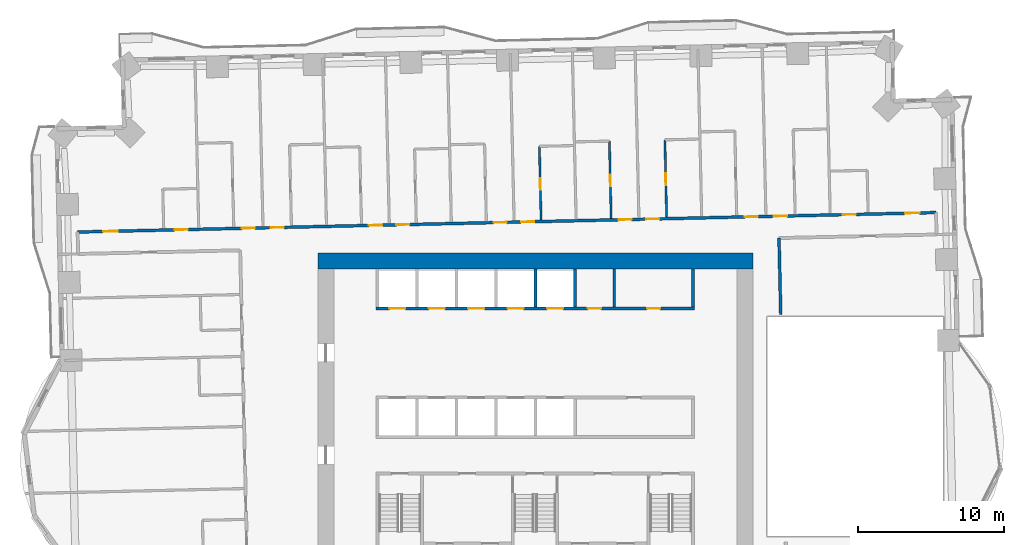
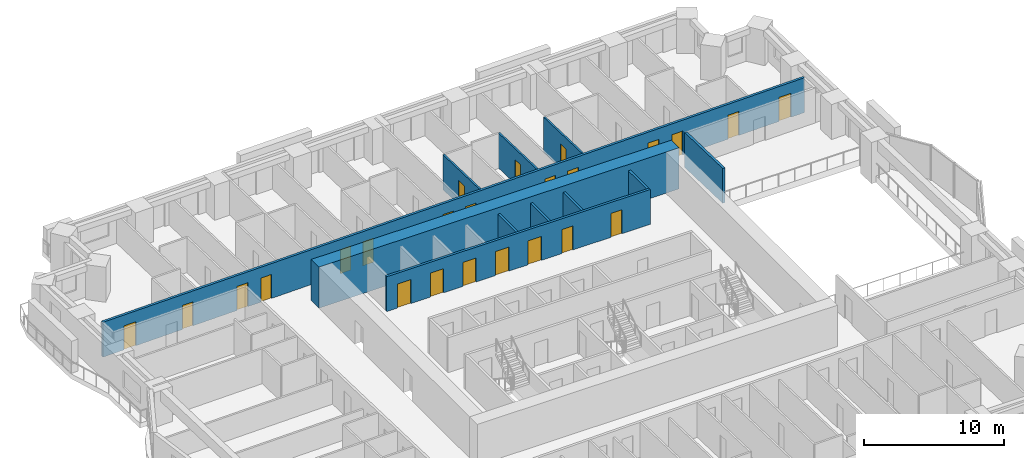
# One storey, part 10 of 16: 24 doors, 11 walls, 24 openings.
"""IFC4 building model written with IfcOpenShell, lengths in metres."""

from ifc_helpers import new_model, si_unit, direction, frame, frame_2d, origin, place, context, subcontext, project, spatial, rectangle, extrude, material, layer, layer_set, type_object, element, fill, save


model = new_model("IFC4")

# Units and contexts
model_context = context("Model", 3, precision=1e-05, world=origin(), true_north=direction((0.0, 1.0)))
body_context = subcontext(model_context, "Body", "Model", "MODEL_VIEW")
ifc_project = project(units=[si_unit("LENGTHUNIT", "METRE"), si_unit("AREAUNIT", "SQUARE_METRE"), si_unit("VOLUMEUNIT", "CUBIC_METRE"), si_unit("PLANEANGLEUNIT", "RADIAN"), si_unit("MASSUNIT", "GRAM", prefix="KILO")], contexts=[model_context])

# Site, building, storey
site_placement = place(None, origin())
site = spatial("IfcSite", under=ifc_project, at=site_placement, CompositionType="ELEMENT")
building_placement = place(site_placement, origin())
building = spatial("IfcBuilding", under=site, at=building_placement, Name="Mangrove Gate Tower", CompositionType="ELEMENT")
storey_placement = place(building_placement, frame((0.0, 0.0, 48.5)))
storey = spatial("IfcBuildingStorey", under=building, at=storey_placement, Name="L11", CompositionType="ELEMENT", Elevation=48.5)

# Walls
ifc_material_1 = material(Name="Concrete C32/40", Category="concrete")
ifc_layer_1 = layer(ifc_material_1, 0.199951171875)
ifc_layer_set_1 = layer_set([ifc_layer_1], Name="Core room wall 200 C32/40")
wall_type_1 = type_object("IfcWallType", Name="Core room wall 200 C32/40", PredefinedType="STANDARD", material=ifc_layer_set_1)
for number, where, z_axis, x_axis, name in (
    (1, (5.39990234375, 8.199951171875, 0.0), (0.0, 0.0, 1.0), (0.0, 1.0, 0.0), "WALL-L11-CORE-32"),
    (2, (10.800048828125, 8.199951171875, 0.0), (0.0, 0.0, 1.0), (0.0, 1.0, 0.0), "WALL-L11-CORE-33"),
):
    element("IfcWall", number, at=place(storey_placement, frame(where, z_axis=z_axis, x_axis=x_axis)), inside=storey, type_object=wall_type_1, Name=name, PredefinedType="STANDARD", context=body_context, shape_type="SweptSolid", body=[
        extrude(rectangle(XDim=2.60009765625, YDim=0.199951171875, at=frame_2d((1.300048828125, 0.0))), origin(), (0.0, 0.0, 1.0), 3.050048828125),
    ])

# Wall, openings, doors
ifc_material_2 = material(Name="Concrete C70/85", Category="concrete")
ifc_layer_2 = layer(ifc_material_2, 0.199951171875)
ifc_layer_set_2 = layer_set([ifc_layer_2], Name="Core shaft wall 200 C70/85")
wall_type_2 = type_object("IfcWallType", Name="Core shaft wall 200 C70/85", PredefinedType="SHEAR", material=ifc_layer_set_2)
wall_1_placement = place(storey_placement, frame((-10.89990234375, 8.10009765625, 0.0), z_axis=(0.0, 0.0, 1.0), x_axis=(1.0, 0.0, 0.0)))
wall_1 = element("IfcWall", 3, at=wall_1_placement, inside=storey, type_object=wall_type_2, Name="WALL-L11-CORE-8", PredefinedType="SHEAR", context=body_context, shape_type="SweptSolid", body=[
    extrude(rectangle(XDim=21.7998046875, YDim=0.199951171875, at=frame_2d((10.89990234375, 0.0))), origin(), (0.0, 0.0, 1.0), 3.050048828125),
])
opening_1_placement = place(wall_1_placement, frame((0.89990234375, 0.0, 0.0)))
opening_1 = element("IfcOpeningElement", 4, at=opening_1_placement, cuts=wall_1, Name="Opening LD", PredefinedType="OPENING", context=body_context, shape_type="SweptSolid", body=[
    extrude(rectangle(XDim=1.10009765625, YDim=2.10009765625, at=frame_2d((0.550048828125, 1.050048828125))), frame((0.0, 0.10986328125, 0.0), z_axis=(0.0, -1.0, 0.0), x_axis=(1.0, 0.0, 0.0)), (0.0, 0.0, 1.0), 0.219970703125),
])
opening_2_placement = place(wall_1_placement, frame((3.60009765625, 0.0, 0.0)))
opening_2 = element("IfcOpeningElement", 5, at=opening_2_placement, cuts=wall_1, Name="Opening LD", PredefinedType="OPENING", context=body_context, shape_type="SweptSolid", body=[
    extrude(rectangle(XDim=1.10009765625, YDim=2.10009765625, at=frame_2d((0.550048828125, 1.050048828125))), frame((0.0, 0.10986328125, 0.0), z_axis=(0.0, -1.0, 0.0), x_axis=(1.0, 0.0, 0.0)), (0.0, 0.0, 1.0), 0.219970703125),
])
opening_3_placement = place(wall_1_placement, frame((6.300048828125, 0.0, 0.0)))
opening_3 = element("IfcOpeningElement", 6, at=opening_3_placement, cuts=wall_1, Name="Opening LD", PredefinedType="OPENING", context=body_context, shape_type="SweptSolid", body=[
    extrude(rectangle(XDim=1.10009765625, YDim=2.10009765625, at=frame_2d((0.550048828125, 1.050048828125))), frame((0.0, 0.10986328125, 0.0), z_axis=(0.0, -1.0, 0.0), x_axis=(1.0, 0.0, 0.0)), (0.0, 0.0, 1.0), 0.219970703125),
])
opening_4_placement = place(wall_1_placement, frame((9.0, 0.0, 0.0)))
opening_4 = element("IfcOpeningElement", 7, at=opening_4_placement, cuts=wall_1, Name="Opening LD", PredefinedType="OPENING", context=body_context, shape_type="SweptSolid", body=[
    extrude(rectangle(XDim=1.10009765625, YDim=2.10009765625, at=frame_2d((0.550048828125, 1.050048828125))), frame((0.0, 0.10986328125, 0.0), z_axis=(0.0, -1.0, 0.0), x_axis=(1.0, 0.0, 0.0)), (0.0, 0.0, 1.0), 0.219970703125),
])
opening_5_placement = place(wall_1_placement, frame((11.699951171875, 0.0, 0.0)))
opening_5 = element("IfcOpeningElement", 8, at=opening_5_placement, cuts=wall_1, Name="Opening LD", PredefinedType="OPENING", context=body_context, shape_type="SweptSolid", body=[
    extrude(rectangle(XDim=1.10009765625, YDim=2.10009765625, at=frame_2d((0.550048828125, 1.050048828125))), frame((0.0, 0.10986328125, 0.0), z_axis=(0.0, -1.0, 0.0), x_axis=(1.0, 0.0, 0.0)), (0.0, 0.0, 1.0), 0.219970703125),
])
opening_6_placement = place(wall_1_placement, frame((14.5, 0.0, 0.0)))
opening_6 = element("IfcOpeningElement", 9, at=opening_6_placement, cuts=wall_1, Name="Opening KD", PredefinedType="OPENING", context=body_context, shape_type="SweptSolid", body=[
    extrude(rectangle(XDim=0.89990234375, YDim=2.10009765625, at=frame_2d((0.449951171875, 1.050048828125))), frame((0.0, 0.10986328125, 0.0), z_axis=(0.0, -1.0, 0.0), x_axis=(1.0, 0.0, 0.0)), (0.0, 0.0, 1.0), 0.219970703125),
])
opening_7_placement = place(wall_1_placement, frame((18.550048828125, 0.0, 0.0)))
opening_7 = element("IfcOpeningElement", 10, at=opening_7_placement, cuts=wall_1, Name="Opening RD", PredefinedType="OPENING", context=body_context, shape_type="SweptSolid", body=[
    extrude(rectangle(XDim=0.89990234375, YDim=2.10009765625, at=frame_2d((0.449951171875, 1.050048828125))), frame((0.0, 0.10986328125, 0.0), z_axis=(0.0, -1.0, 0.0), x_axis=(1.0, 0.0, 0.0)), (0.0, 0.0, 1.0), 0.219970703125),
])
ifc_material_3 = material(Name="Fire-rated steel door set", Category="steel")
door_type_1 = type_object("IfcDoorType", Name="Core room door FD30S 900x2100", OperationType="SINGLE_SWING_RIGHT", PredefinedType="DOOR", material=ifc_material_3)
door_1_placement = place(opening_6_placement, origin())
door_1 = element("IfcDoor", 11, at=door_1_placement, inside=storey, type_object=door_type_1, Name="Core room door Linen store", OperationType="SINGLE_SWING_RIGHT", OverallHeight=2.10009765625, OverallWidth=0.89990234375, PredefinedType="DOOR", context=body_context, shape_type="SweptSolid", body=[
    extrude(rectangle(XDim=0.89990234375, YDim=2.10009765625, at=frame_2d((0.449951171875, 1.050048828125))), frame((0.0, 0.02490234375, 0.0), z_axis=(0.0, -1.0, 0.0), x_axis=(1.0, 0.0, 0.0)), (0.0, 0.0, 1.0), 0.050048828125),
])
fill(opening_6, door_1)
ifc_material_4 = material(Name="Stainless steel 316", Category="steel")
door_type_2 = type_object("IfcDoorType", Name="Lift landing door 1100x2100", OperationType="SLIDING_TO_LEFT", PredefinedType="DOOR", material=ifc_material_4)
door_2_placement = place(opening_1_placement, origin())
door_2 = element("IfcDoor", 12, at=door_2_placement, inside=storey, type_object=door_type_2, Name="Landing door LD P06", OperationType="SLIDING_TO_LEFT", OverallHeight=2.10009765625, OverallWidth=1.10009765625, PredefinedType="DOOR", context=body_context, shape_type="SweptSolid", body=[
    extrude(rectangle(XDim=1.10009765625, YDim=2.10009765625, at=frame_2d((0.550048828125, 1.050048828125))), frame((0.0, 0.02490234375, 0.0), z_axis=(0.0, -1.0, 0.0), x_axis=(1.0, 0.0, 0.0)), (0.0, 0.0, 1.0), 0.050048828125),
])
fill(opening_1, door_2)
door_3_placement = place(opening_2_placement, origin())
door_3 = element("IfcDoor", 13, at=door_3_placement, inside=storey, type_object=door_type_2, Name="Landing door LD P07", OperationType="SLIDING_TO_LEFT", OverallHeight=2.10009765625, OverallWidth=1.10009765625, PredefinedType="DOOR", context=body_context, shape_type="SweptSolid", body=[
    extrude(rectangle(XDim=1.10009765625, YDim=2.10009765625, at=frame_2d((0.550048828125, 1.050048828125))), frame((0.0, 0.02490234375, 0.0), z_axis=(0.0, -1.0, 0.0), x_axis=(1.0, 0.0, 0.0)), (0.0, 0.0, 1.0), 0.050048828125),
])
fill(opening_2, door_3)
door_4_placement = place(opening_3_placement, origin())
door_4 = element("IfcDoor", 14, at=door_4_placement, inside=storey, type_object=door_type_2, Name="Landing door LD P08", OperationType="SLIDING_TO_LEFT", OverallHeight=2.10009765625, OverallWidth=1.10009765625, PredefinedType="DOOR", context=body_context, shape_type="SweptSolid", body=[
    extrude(rectangle(XDim=1.10009765625, YDim=2.10009765625, at=frame_2d((0.550048828125, 1.050048828125))), frame((0.0, 0.02490234375, 0.0), z_axis=(0.0, -1.0, 0.0), x_axis=(1.0, 0.0, 0.0)), (0.0, 0.0, 1.0), 0.050048828125),
])
fill(opening_3, door_4)
door_5_placement = place(opening_4_placement, origin())
door_5 = element("IfcDoor", 15, at=door_5_placement, inside=storey, type_object=door_type_2, Name="Landing door LD P09", OperationType="SLIDING_TO_LEFT", OverallHeight=2.10009765625, OverallWidth=1.10009765625, PredefinedType="DOOR", context=body_context, shape_type="SweptSolid", body=[
    extrude(rectangle(XDim=1.10009765625, YDim=2.10009765625, at=frame_2d((0.550048828125, 1.050048828125))), frame((0.0, 0.02490234375, 0.0), z_axis=(0.0, -1.0, 0.0), x_axis=(1.0, 0.0, 0.0)), (0.0, 0.0, 1.0), 0.050048828125),
])
fill(opening_4, door_5)
door_6_placement = place(opening_5_placement, origin())
door_6 = element("IfcDoor", 16, at=door_6_placement, inside=storey, type_object=door_type_2, Name="Landing door LD P10", OperationType="SLIDING_TO_LEFT", OverallHeight=2.10009765625, OverallWidth=1.10009765625, PredefinedType="DOOR", context=body_context, shape_type="SweptSolid", body=[
    extrude(rectangle(XDim=1.10009765625, YDim=2.10009765625, at=frame_2d((0.550048828125, 1.050048828125))), frame((0.0, 0.02490234375, 0.0), z_axis=(0.0, -1.0, 0.0), x_axis=(1.0, 0.0, 0.0)), (0.0, 0.0, 1.0), 0.050048828125),
])
fill(opening_5, door_6)
ifc_material_5 = material(Name="Fire-rated steel door set", Category="steel")
door_type_3 = type_object("IfcDoorType", Name="Riser door FD30S 900x2100", OperationType="SINGLE_SWING_LEFT", PredefinedType="DOOR", material=ifc_material_5)
door_7_placement = place(opening_7_placement, origin())
door_7 = element("IfcDoor", 17, at=door_7_placement, inside=storey, type_object=door_type_3, Name="Riser door Switch room", OperationType="SINGLE_SWING_LEFT", OverallHeight=2.10009765625, OverallWidth=0.89990234375, PredefinedType="DOOR", context=body_context, shape_type="SweptSolid", body=[
    extrude(rectangle(XDim=0.89990234375, YDim=2.10009765625, at=frame_2d((0.449951171875, 1.050048828125))), frame((0.0, 0.02490234375, 0.0), z_axis=(0.0, -1.0, 0.0), x_axis=(1.0, 0.0, 0.0)), (0.0, 0.0, 1.0), 0.050048828125),
])
fill(opening_7, door_7)

# Walls
for number, where, z_axis, x_axis, name in (
    (18, (0.0, 8.199951171875, 0.0), (0.0, 0.0, 1.0), (0.0, 1.0, 0.0), "WALL-L11-CORE-30"),
    (19, (2.699951171875, 8.199951171875, 0.0), (0.0, 0.0, 1.0), (0.0, 1.0, 0.0), "WALL-L11-CORE-31"),
):
    element("IfcWall", number, at=place(storey_placement, frame(where, z_axis=z_axis, x_axis=x_axis)), inside=storey, type_object=wall_type_2, Name=name, PredefinedType="SHEAR", context=body_context, shape_type="SweptSolid", body=[
        extrude(rectangle(XDim=2.60009765625, YDim=0.199951171875, at=frame_2d((1.300048828125, 0.0))), origin(), (0.0, 0.0, 1.0), 3.050048828125),
    ])
ifc_material_6 = material(Name="Concrete C70/85", Category="concrete")
ifc_layer_3 = layer(ifc_material_6, 1.10009765625)
ifc_layer_set_3 = layer_set([ifc_layer_3], Name="Core wall 1100 C70/85")
wall_type_3 = type_object("IfcWallType", Name="Core wall 1100 C70/85", PredefinedType="SHEAR", material=ifc_layer_set_3)
wall_2_placement = place(storey_placement, frame((-14.89990234375, 11.35009765625, 0.0), z_axis=(0.0, 0.0, 1.0), x_axis=(1.0, 0.0, 0.0)))
element("IfcWall", 20, at=wall_2_placement, inside=storey, type_object=wall_type_3, Name="WALL-L11-CORE-2", PredefinedType="SHEAR", context=body_context, shape_type="SweptSolid", body=[
    extrude(rectangle(XDim=29.7998046875, YDim=1.10009765625, at=frame_2d((14.89990234375, 0.0))), origin(), (0.0, 0.0, 1.0), 3.60009765625),
])
ifc_material_7 = material(Name="Gypsum board on steel stud, EI 60", Category="steel")
ifc_layer_4 = layer(ifc_material_7, 0.199951171875)
ifc_layer_set_4 = layer_set([ifc_layer_4], Name="Corridor wall EI 60")
wall_type_4 = type_object("IfcWallType", Name="Corridor wall EI 60", PredefinedType="PARTITIONING", material=ifc_layer_set_4)
wall_3_placement = place(storey_placement, frame((16.802978515625, 7.675048828125, 0.0), z_axis=(0.0, 0.0, 1.0), x_axis=(-0.022667483124, 0.999743059595, 0.0)))
element("IfcWall", 21, at=wall_3_placement, inside=storey, type_object=wall_type_4, Name="WALL-L11-053", PredefinedType="PARTITIONING", context=body_context, shape_type="SweptSolid", body=[
    extrude(rectangle(XDim=5.245361328125, YDim=0.199951171875, at=frame_2d((2.62255859375, 0.0))), origin(), (0.0, 0.0, 1.0), 3.050048828125),
])

# Wall, openings, doors
wall_4_placement = place(storey_placement, frame((-31.346923828125, 13.3291015625, 0.0), z_axis=(0.0, 0.0, 1.0), x_axis=(0.999742613079, 0.022687168058, 0.0)))
wall_4 = element("IfcWall", 22, at=wall_4_placement, inside=storey, type_object=wall_type_4, Name="WALL-L11-061", PredefinedType="PARTITIONING", context=body_context, shape_type="SweptSolid", body=[
    extrude(rectangle(XDim=58.799072265625, YDim=0.199951171875, at=frame_2d((29.3994140625, 0.0))), origin(), (0.0, 0.0, 1.0), 3.050048828125),
])
opening_8_placement = place(wall_4_placement, frame((56.675048828125, 0.0, 0.0)))
opening_8 = element("IfcOpeningElement", 23, at=opening_8_placement, cuts=wall_4, Name="Opening AD", PredefinedType="OPENING", context=body_context, shape_type="SweptSolid", body=[
    extrude(rectangle(XDim=1.0, YDim=2.10009765625, at=frame_2d((0.5, 1.050048828125))), frame((0.0, 0.10986328125, 0.0), z_axis=(0.0, -1.0, 0.0), x_axis=(1.0, 0.0, 0.0)), (0.0, 0.0, 1.0), 0.219970703125),
])
opening_9_placement = place(wall_4_placement, frame((52.39990234375, 0.0, 0.0)))
opening_9 = element("IfcOpeningElement", 24, at=opening_9_placement, cuts=wall_4, Name="Opening SD", PredefinedType="OPENING", context=body_context, shape_type="SweptSolid", body=[
    extrude(rectangle(XDim=0.89990234375, YDim=2.10009765625, at=frame_2d((0.449951171875, 1.050048828125))), frame((0.0, 0.10986328125, 0.0), z_axis=(0.0, -1.0, 0.0), x_axis=(1.0, 0.0, 0.0)), (0.0, 0.0, 1.0), 0.219970703125),
])
opening_10_placement = place(wall_4_placement, frame((47.699951171875, 0.0, 0.0)))
opening_10 = element("IfcOpeningElement", 25, at=opening_10_placement, cuts=wall_4, Name="Opening BD", PredefinedType="OPENING", context=body_context, shape_type="SweptSolid", body=[
    extrude(rectangle(XDim=0.89990234375, YDim=2.10009765625, at=frame_2d((0.449951171875, 1.050048828125))), frame((0.0, 0.10986328125, 0.0), z_axis=(0.0, -1.0, 0.0), x_axis=(1.0, 0.0, 0.0)), (0.0, 0.0, 1.0), 0.219970703125),
])
opening_11_placement = place(wall_4_placement, frame((45.699951171875, 0.0, 0.0)))
opening_11 = element("IfcOpeningElement", 26, at=opening_11_placement, cuts=wall_4, Name="Opening BD", PredefinedType="OPENING", context=body_context, shape_type="SweptSolid", body=[
    extrude(rectangle(XDim=0.89990234375, YDim=2.10009765625, at=frame_2d((0.449951171875, 1.050048828125))), frame((0.0, 0.10986328125, 0.0), z_axis=(0.0, -1.0, 0.0), x_axis=(1.0, 0.0, 0.0)), (0.0, 0.0, 1.0), 0.219970703125),
])
opening_12_placement = place(wall_4_placement, frame((38.949951171875, 0.0, 0.0)))
opening_12 = element("IfcOpeningElement", 27, at=opening_12_placement, cuts=wall_4, Name="Opening BD", PredefinedType="OPENING", context=body_context, shape_type="SweptSolid", body=[
    extrude(rectangle(XDim=0.89990234375, YDim=2.10009765625, at=frame_2d((0.449951171875, 1.050048828125))), frame((0.0, 0.10986328125, 0.0), z_axis=(0.0, -1.0, 0.0), x_axis=(1.0, 0.0, 0.0)), (0.0, 0.0, 1.0), 0.219970703125),
])
opening_13_placement = place(wall_4_placement, frame((37.050048828125, 0.0, 0.0)))
opening_13 = element("IfcOpeningElement", 28, at=opening_13_placement, cuts=wall_4, Name="Opening BD", PredefinedType="OPENING", context=body_context, shape_type="SweptSolid", body=[
    extrude(rectangle(XDim=0.89990234375, YDim=2.10009765625, at=frame_2d((0.449951171875, 1.050048828125))), frame((0.0, 0.10986328125, 0.0), z_axis=(0.0, -1.0, 0.0), x_axis=(1.0, 0.0, 0.0)), (0.0, 0.0, 1.0), 0.219970703125),
])
opening_14_placement = place(wall_4_placement, frame((30.375, 0.0, 0.0)))
opening_14 = element("IfcOpeningElement", 29, at=opening_14_placement, cuts=wall_4, Name="Opening BD", PredefinedType="OPENING", context=body_context, shape_type="SweptSolid", body=[
    extrude(rectangle(XDim=0.89990234375, YDim=2.10009765625, at=frame_2d((0.449951171875, 1.050048828125))), frame((0.0, 0.10986328125, 0.0), z_axis=(0.0, -1.0, 0.0), x_axis=(1.0, 0.0, 0.0)), (0.0, 0.0, 1.0), 0.219970703125),
])
opening_15_placement = place(wall_4_placement, frame((28.5, 0.0, 0.0)))
opening_15 = element("IfcOpeningElement", 30, at=opening_15_placement, cuts=wall_4, Name="Opening BD", PredefinedType="OPENING", context=body_context, shape_type="SweptSolid", body=[
    extrude(rectangle(XDim=0.89990234375, YDim=2.10009765625, at=frame_2d((0.449951171875, 1.050048828125))), frame((0.0, 0.10986328125, 0.0), z_axis=(0.0, -1.0, 0.0), x_axis=(1.0, 0.0, 0.0)), (0.0, 0.0, 1.0), 0.219970703125),
])
opening_16_placement = place(wall_4_placement, frame((21.824951171875, 0.0, 0.0)))
opening_16 = element("IfcOpeningElement", 31, at=opening_16_placement, cuts=wall_4, Name="Opening BD", PredefinedType="OPENING", context=body_context, shape_type="SweptSolid", body=[
    extrude(rectangle(XDim=0.89990234375, YDim=2.10009765625, at=frame_2d((0.449951171875, 1.050048828125))), frame((0.0, 0.10986328125, 0.0), z_axis=(0.0, -1.0, 0.0), x_axis=(1.0, 0.0, 0.0)), (0.0, 0.0, 1.0), 0.219970703125),
])
opening_17_placement = place(wall_4_placement, frame((19.949951171875, 0.0, 0.0)))
opening_17 = element("IfcOpeningElement", 32, at=opening_17_placement, cuts=wall_4, Name="Opening BD", PredefinedType="OPENING", context=body_context, shape_type="SweptSolid", body=[
    extrude(rectangle(XDim=0.89990234375, YDim=2.10009765625, at=frame_2d((0.449951171875, 1.050048828125))), frame((0.0, 0.10986328125, 0.0), z_axis=(0.0, -1.0, 0.0), x_axis=(1.0, 0.0, 0.0)), (0.0, 0.0, 1.0), 0.219970703125),
])
opening_18_placement = place(wall_4_placement, frame((13.22509765625, 0.0, 0.0)))
opening_18 = element("IfcOpeningElement", 33, at=opening_18_placement, cuts=wall_4, Name="Opening BD", PredefinedType="OPENING", context=body_context, shape_type="SweptSolid", body=[
    extrude(rectangle(XDim=0.89990234375, YDim=2.10009765625, at=frame_2d((0.449951171875, 1.050048828125))), frame((0.0, 0.10986328125, 0.0), z_axis=(0.0, -1.0, 0.0), x_axis=(1.0, 0.0, 0.0)), (0.0, 0.0, 1.0), 0.219970703125),
])
opening_19_placement = place(wall_4_placement, frame((11.25, 0.0, 0.0)))
opening_19 = element("IfcOpeningElement", 34, at=opening_19_placement, cuts=wall_4, Name="Opening BD", PredefinedType="OPENING", context=body_context, shape_type="SweptSolid", body=[
    extrude(rectangle(XDim=0.89990234375, YDim=2.10009765625, at=frame_2d((0.449951171875, 1.050048828125))), frame((0.0, 0.10986328125, 0.0), z_axis=(0.0, -1.0, 0.0), x_axis=(1.0, 0.0, 0.0)), (0.0, 0.0, 1.0), 0.219970703125),
])
opening_20_placement = place(wall_4_placement, frame((1.75, 0.0, 0.0)))
opening_20 = element("IfcOpeningElement", 35, at=opening_20_placement, cuts=wall_4, Name="Opening AD", PredefinedType="OPENING", context=body_context, shape_type="SweptSolid", body=[
    extrude(rectangle(XDim=1.0, YDim=2.10009765625, at=frame_2d((0.5, 1.050048828125))), frame((0.0, 0.10986328125, 0.0), z_axis=(0.0, -1.0, 0.0), x_axis=(1.0, 0.0, 0.0)), (0.0, 0.0, 1.0), 0.219970703125),
])
opening_21_placement = place(wall_4_placement, frame((6.64990234375, 0.0, 0.0)))
opening_21 = element("IfcOpeningElement", 36, at=opening_21_placement, cuts=wall_4, Name="Opening SD", PredefinedType="OPENING", context=body_context, shape_type="SweptSolid", body=[
    extrude(rectangle(XDim=0.89990234375, YDim=2.10009765625, at=frame_2d((0.449951171875, 1.050048828125))), frame((0.0, 0.10986328125, 0.0), z_axis=(0.0, -1.0, 0.0), x_axis=(1.0, 0.0, 0.0)), (0.0, 0.0, 1.0), 0.219970703125),
])
ifc_material_8 = material(Name="Timber door leaf", Category="wood")
door_type_4 = type_object("IfcDoorType", Name="Amenity door 1000", OperationType="SINGLE_SWING_LEFT", PredefinedType="DOOR", material=ifc_material_8)
door_8_placement = place(opening_8_placement, origin())
door_8 = element("IfcDoor", 37, at=door_8_placement, inside=storey, type_object=door_type_4, Name="DOOR-L11-KIT-c3c", OperationType="SINGLE_SWING_RIGHT", OverallHeight=2.10009765625, OverallWidth=1.0, PredefinedType="DOOR", context=body_context, shape_type="SweptSolid", body=[
    extrude(rectangle(XDim=1.0, YDim=2.10009765625, at=frame_2d((0.5, 1.050048828125))), frame((0.0, 0.02490234375, 0.0), z_axis=(0.0, -1.0, 0.0), x_axis=(1.0, 0.0, 0.0)), (0.0, 0.0, 1.0), 0.050048828125),
])
fill(opening_8, door_8)
door_9_placement = place(opening_20_placement, origin())
door_9 = element("IfcDoor", 38, at=door_9_placement, inside=storey, type_object=door_type_4, Name="DOOR-L11-LNG-c5a", OperationType="SINGLE_SWING_LEFT", OverallHeight=2.10009765625, OverallWidth=1.0, PredefinedType="DOOR", context=body_context, shape_type="SweptSolid", body=[
    extrude(rectangle(XDim=1.0, YDim=2.10009765625, at=frame_2d((0.5, 1.050048828125))), frame((0.0, 0.02490234375, 0.0), z_axis=(0.0, -1.0, 0.0), x_axis=(1.0, 0.0, 0.0)), (0.0, 0.0, 1.0), 0.050048828125),
])
fill(opening_20, door_9)
ifc_material_9 = material(Name="Timber door leaf", Category="wood")
door_type_5 = type_object("IfcDoorType", Name="Bedroom door 900", OperationType="SINGLE_SWING_LEFT", PredefinedType="DOOR", material=ifc_material_9)
door_10_placement = place(opening_10_placement, origin())
door_10 = element("IfcDoor", 39, at=door_10_placement, inside=storey, type_object=door_type_5, Name="DOOR-L11-BED-c310", OperationType="SINGLE_SWING_RIGHT", OverallHeight=2.10009765625, OverallWidth=0.89990234375, PredefinedType="DOOR", context=body_context, shape_type="SweptSolid", body=[
    extrude(rectangle(XDim=0.89990234375, YDim=2.10009765625, at=frame_2d((0.449951171875, 1.050048828125))), frame((0.0, 0.02490234375, 0.0), z_axis=(0.0, -1.0, 0.0), x_axis=(1.0, 0.0, 0.0)), (0.0, 0.0, 1.0), 0.050048828125),
])
fill(opening_10, door_10)
door_11_placement = place(opening_11_placement, origin())
door_11 = element("IfcDoor", 40, at=door_11_placement, inside=storey, type_object=door_type_5, Name="DOOR-L11-BED-c311", OperationType="SINGLE_SWING_LEFT", OverallHeight=2.10009765625, OverallWidth=0.89990234375, PredefinedType="DOOR", context=body_context, shape_type="SweptSolid", body=[
    extrude(rectangle(XDim=0.89990234375, YDim=2.10009765625, at=frame_2d((0.449951171875, 1.050048828125))), frame((0.0, 0.02490234375, 0.0), z_axis=(0.0, -1.0, 0.0), x_axis=(1.0, 0.0, 0.0)), (0.0, 0.0, 1.0), 0.050048828125),
])
fill(opening_11, door_11)
door_12_placement = place(opening_12_placement, origin())
door_12 = element("IfcDoor", 41, at=door_12_placement, inside=storey, type_object=door_type_5, Name="DOOR-L11-BED-c312", OperationType="SINGLE_SWING_RIGHT", OverallHeight=2.10009765625, OverallWidth=0.89990234375, PredefinedType="DOOR", context=body_context, shape_type="SweptSolid", body=[
    extrude(rectangle(XDim=0.89990234375, YDim=2.10009765625, at=frame_2d((0.449951171875, 1.050048828125))), frame((0.0, 0.02490234375, 0.0), z_axis=(0.0, -1.0, 0.0), x_axis=(1.0, 0.0, 0.0)), (0.0, 0.0, 1.0), 0.050048828125),
])
fill(opening_12, door_12)
door_13_placement = place(opening_13_placement, origin())
door_13 = element("IfcDoor", 42, at=door_13_placement, inside=storey, type_object=door_type_5, Name="DOOR-L11-BED-c413", OperationType="SINGLE_SWING_LEFT", OverallHeight=2.10009765625, OverallWidth=0.89990234375, PredefinedType="DOOR", context=body_context, shape_type="SweptSolid", body=[
    extrude(rectangle(XDim=0.89990234375, YDim=2.10009765625, at=frame_2d((0.449951171875, 1.050048828125))), frame((0.0, 0.02490234375, 0.0), z_axis=(0.0, -1.0, 0.0), x_axis=(1.0, 0.0, 0.0)), (0.0, 0.0, 1.0), 0.050048828125),
])
fill(opening_13, door_13)
door_14_placement = place(opening_14_placement, origin())
door_14 = element("IfcDoor", 43, at=door_14_placement, inside=storey, type_object=door_type_5, Name="DOOR-L11-BED-c414", OperationType="SINGLE_SWING_RIGHT", OverallHeight=2.10009765625, OverallWidth=0.89990234375, PredefinedType="DOOR", context=body_context, shape_type="SweptSolid", body=[
    extrude(rectangle(XDim=0.89990234375, YDim=2.10009765625, at=frame_2d((0.449951171875, 1.050048828125))), frame((0.0, 0.02490234375, 0.0), z_axis=(0.0, -1.0, 0.0), x_axis=(1.0, 0.0, 0.0)), (0.0, 0.0, 1.0), 0.050048828125),
])
fill(opening_14, door_14)
door_15_placement = place(opening_15_placement, origin())
door_15 = element("IfcDoor", 44, at=door_15_placement, inside=storey, type_object=door_type_5, Name="DOOR-L11-BED-c415", OperationType="SINGLE_SWING_LEFT", OverallHeight=2.10009765625, OverallWidth=0.89990234375, PredefinedType="DOOR", context=body_context, shape_type="SweptSolid", body=[
    extrude(rectangle(XDim=0.89990234375, YDim=2.10009765625, at=frame_2d((0.449951171875, 1.050048828125))), frame((0.0, 0.02490234375, 0.0), z_axis=(0.0, -1.0, 0.0), x_axis=(1.0, 0.0, 0.0)), (0.0, 0.0, 1.0), 0.050048828125),
])
fill(opening_15, door_15)
door_16_placement = place(opening_16_placement, origin())
door_16 = element("IfcDoor", 45, at=door_16_placement, inside=storey, type_object=door_type_5, Name="DOOR-L11-BED-c416", OperationType="SINGLE_SWING_RIGHT", OverallHeight=2.10009765625, OverallWidth=0.89990234375, PredefinedType="DOOR", context=body_context, shape_type="SweptSolid", body=[
    extrude(rectangle(XDim=0.89990234375, YDim=2.10009765625, at=frame_2d((0.449951171875, 1.050048828125))), frame((0.0, 0.02490234375, 0.0), z_axis=(0.0, -1.0, 0.0), x_axis=(1.0, 0.0, 0.0)), (0.0, 0.0, 1.0), 0.050048828125),
])
fill(opening_16, door_16)
door_17_placement = place(opening_17_placement, origin())
door_17 = element("IfcDoor", 46, at=door_17_placement, inside=storey, type_object=door_type_5, Name="DOOR-L11-BED-c517", OperationType="SINGLE_SWING_LEFT", OverallHeight=2.10009765625, OverallWidth=0.89990234375, PredefinedType="DOOR", context=body_context, shape_type="SweptSolid", body=[
    extrude(rectangle(XDim=0.89990234375, YDim=2.10009765625, at=frame_2d((0.449951171875, 1.050048828125))), frame((0.0, 0.02490234375, 0.0), z_axis=(0.0, -1.0, 0.0), x_axis=(1.0, 0.0, 0.0)), (0.0, 0.0, 1.0), 0.050048828125),
])
fill(opening_17, door_17)
door_18_placement = place(opening_18_placement, origin())
door_18 = element("IfcDoor", 47, at=door_18_placement, inside=storey, type_object=door_type_5, Name="DOOR-L11-BED-c518", OperationType="SINGLE_SWING_RIGHT", OverallHeight=2.10009765625, OverallWidth=0.89990234375, PredefinedType="DOOR", context=body_context, shape_type="SweptSolid", body=[
    extrude(rectangle(XDim=0.89990234375, YDim=2.10009765625, at=frame_2d((0.449951171875, 1.050048828125))), frame((0.0, 0.02490234375, 0.0), z_axis=(0.0, -1.0, 0.0), x_axis=(1.0, 0.0, 0.0)), (0.0, 0.0, 1.0), 0.050048828125),
])
fill(opening_18, door_18)
door_19_placement = place(opening_19_placement, origin())
door_19 = element("IfcDoor", 48, at=door_19_placement, inside=storey, type_object=door_type_5, Name="DOOR-L11-BED-c519", OperationType="SINGLE_SWING_LEFT", OverallHeight=2.10009765625, OverallWidth=0.89990234375, PredefinedType="DOOR", context=body_context, shape_type="SweptSolid", body=[
    extrude(rectangle(XDim=0.89990234375, YDim=2.10009765625, at=frame_2d((0.449951171875, 1.050048828125))), frame((0.0, 0.02490234375, 0.0), z_axis=(0.0, -1.0, 0.0), x_axis=(1.0, 0.0, 0.0)), (0.0, 0.0, 1.0), 0.050048828125),
])
fill(opening_19, door_19)
ifc_material_10 = material(Name="Timber door leaf", Category="wood")
door_type_6 = type_object("IfcDoorType", Name="Service room door 900", OperationType="SINGLE_SWING_LEFT", PredefinedType="DOOR", material=ifc_material_10)
door_20_placement = place(opening_9_placement, origin())
door_20 = element("IfcDoor", 49, at=door_20_placement, inside=storey, type_object=door_type_6, Name="DOOR-L11-AWC-c3a", OperationType="SINGLE_SWING_RIGHT", OverallHeight=2.10009765625, OverallWidth=0.89990234375, PredefinedType="DOOR", context=body_context, shape_type="SweptSolid", body=[
    extrude(rectangle(XDim=0.89990234375, YDim=2.10009765625, at=frame_2d((0.449951171875, 1.050048828125))), frame((0.0, 0.02490234375, 0.0), z_axis=(0.0, -1.0, 0.0), x_axis=(1.0, 0.0, 0.0)), (0.0, 0.0, 1.0), 0.050048828125),
])
fill(opening_9, door_20)
door_21_placement = place(opening_21_placement, origin())
door_21 = element("IfcDoor", 50, at=door_21_placement, inside=storey, type_object=door_type_6, Name="DOOR-L11-WC-c5a", OperationType="SINGLE_SWING_LEFT", OverallHeight=2.10009765625, OverallWidth=0.89990234375, PredefinedType="DOOR", context=body_context, shape_type="SweptSolid", body=[
    extrude(rectangle(XDim=0.89990234375, YDim=2.10009765625, at=frame_2d((0.449951171875, 1.050048828125))), frame((0.0, 0.02490234375, 0.0), z_axis=(0.0, -1.0, 0.0), x_axis=(1.0, 0.0, 0.0)), (0.0, 0.0, 1.0), 0.050048828125),
])
fill(opening_21, door_21)

# Wall, opening, door
ifc_material_11 = material(Name="Gypsum board on steel stud, EI 60", Category="steel")
ifc_layer_5 = layer(ifc_material_11, 0.14990234375)
ifc_layer_set_5 = layer_set([ifc_layer_5], Name="Party wall 150 EI 60")
wall_type_5 = type_object("IfcWallType", Name="Party wall 150 EI 60", PredefinedType="PARTITIONING", material=ifc_layer_set_5)
wall_5_placement = place(storey_placement, frame((0.39208984375, 14.14892578125, 0.0), z_axis=(0.0, 0.0, 1.0), x_axis=(-0.022768623305, 0.999740761294, 0.0)))
wall_5 = element("IfcWall", 51, at=wall_5_placement, inside=storey, type_object=wall_type_5, Name="WALL-L11-074", PredefinedType="PARTITIONING", context=body_context, shape_type="SweptSolid", body=[
    extrude(rectangle(XDim=5.05029296875, YDim=0.14990234375, at=frame_2d((2.525146484375, 0.0))), origin(), (0.0, 0.0, 1.0), 3.050048828125),
])
opening_22_placement = place(wall_5_placement, frame((2.074951171875, 0.0, 0.0)))
opening_22 = element("IfcOpeningElement", 52, at=opening_22_placement, cuts=wall_5, Name="Opening ED", PredefinedType="OPENING", context=body_context, shape_type="SweptSolid", body=[
    extrude(rectangle(XDim=0.800048828125, YDim=2.10009765625, at=frame_2d((0.39990234375, 1.050048828125))), frame((0.0, 0.0849609375, 0.0), z_axis=(0.0, -1.0, 0.0), x_axis=(1.0, 0.0, 0.0)), (0.0, 0.0, 1.0), 0.169921875),
])
ifc_material_12 = material(Name="Timber door leaf", Category="wood")
door_type_7 = type_object("IfcDoorType", Name="En-suite door 800", OperationType="SINGLE_SWING_LEFT", PredefinedType="DOOR", material=ifc_material_12)
door_22_placement = place(opening_22_placement, origin())
door_22 = element("IfcDoor", 53, at=door_22_placement, inside=storey, type_object=door_type_7, Name="DOOR-L11-ENS-c414", OperationType="SINGLE_SWING_RIGHT", OverallHeight=2.10009765625, OverallWidth=0.800048828125, PredefinedType="DOOR", context=body_context, shape_type="SweptSolid", body=[
    extrude(rectangle(XDim=0.800048828125, YDim=2.10009765625, at=frame_2d((0.39990234375, 1.050048828125))), frame((0.0, 0.02490234375, 0.0), z_axis=(0.0, -1.0, 0.0), x_axis=(1.0, 0.0, 0.0)), (0.0, 0.0, 1.0), 0.050048828125),
])
fill(opening_22, door_22)

wall_6_placement = place(storey_placement, frame((5.19091796875, 14.258056640625, 0.0), z_axis=(0.0, 0.0, 1.0), x_axis=(-0.022616771387, 0.999744208111, 0.0)))
wall_6 = element("IfcWall", 54, at=wall_6_placement, inside=storey, type_object=wall_type_5, Name="WALL-L11-076", PredefinedType="PARTITIONING", context=body_context, shape_type="SweptSolid", body=[
    extrude(rectangle(XDim=5.30029296875, YDim=0.14990234375, at=frame_2d((2.650146484375, 0.0))), origin(), (0.0, 0.0, 1.0), 3.050048828125),
])
opening_23_placement = place(wall_6_placement, frame((2.199951171875, 0.0, 0.0)))
opening_23 = element("IfcOpeningElement", 55, at=opening_23_placement, cuts=wall_6, Name="Opening ED", PredefinedType="OPENING", context=body_context, shape_type="SweptSolid", body=[
    extrude(rectangle(XDim=0.800048828125, YDim=2.10009765625, at=frame_2d((0.39990234375, 1.050048828125))), frame((0.0, 0.0849609375, 0.0), z_axis=(0.0, -1.0, 0.0), x_axis=(1.0, 0.0, 0.0)), (0.0, 0.0, 1.0), 0.169921875),
])
door_23_placement = place(opening_23_placement, origin())
door_23 = element("IfcDoor", 56, at=door_23_placement, inside=storey, type_object=door_type_7, Name="DOOR-L11-ENS-c413", OperationType="SINGLE_SWING_LEFT", OverallHeight=2.10009765625, OverallWidth=0.800048828125, PredefinedType="DOOR", context=body_context, shape_type="SweptSolid", body=[
    extrude(rectangle(XDim=0.800048828125, YDim=2.10009765625, at=frame_2d((0.39990234375, 1.050048828125))), frame((0.0, 0.02490234375, 0.0), z_axis=(0.0, -1.0, 0.0), x_axis=(1.0, 0.0, 0.0)), (0.0, 0.0, 1.0), 0.050048828125),
])
fill(opening_23, door_23)

wall_7_placement = place(storey_placement, frame((8.989990234375, 14.343994140625, 0.0), z_axis=(0.0, 0.0, 1.0), x_axis=(-0.022615729912, 0.999744231672, 0.0)))
wall_7 = element("IfcWall", 57, at=wall_7_placement, inside=storey, type_object=wall_type_5, Name="WALL-L11-078", PredefinedType="PARTITIONING", context=body_context, shape_type="SweptSolid", body=[
    extrude(rectangle(XDim=5.300537109375, YDim=0.14990234375, at=frame_2d((2.650390625, 0.0))), origin(), (0.0, 0.0, 1.0), 3.050048828125),
])
opening_24_placement = place(wall_7_placement, frame((2.199951171875, 0.0, 0.0)))
opening_24 = element("IfcOpeningElement", 58, at=opening_24_placement, cuts=wall_7, Name="Opening ED", PredefinedType="OPENING", context=body_context, shape_type="SweptSolid", body=[
    extrude(rectangle(XDim=0.800048828125, YDim=2.10009765625, at=frame_2d((0.39990234375, 1.050048828125))), frame((0.0, 0.0849609375, 0.0), z_axis=(0.0, -1.0, 0.0), x_axis=(1.0, 0.0, 0.0)), (0.0, 0.0, 1.0), 0.169921875),
])
door_24_placement = place(opening_24_placement, origin())
door_24 = element("IfcDoor", 59, at=door_24_placement, inside=storey, type_object=door_type_7, Name="DOOR-L11-ENS-c312", OperationType="SINGLE_SWING_RIGHT", OverallHeight=2.10009765625, OverallWidth=0.800048828125, PredefinedType="DOOR", context=body_context, shape_type="SweptSolid", body=[
    extrude(rectangle(XDim=0.800048828125, YDim=2.10009765625, at=frame_2d((0.39990234375, 1.050048828125))), frame((0.0, 0.02490234375, 0.0), z_axis=(0.0, -1.0, 0.0), x_axis=(1.0, 0.0, 0.0)), (0.0, 0.0, 1.0), 0.050048828125),
])
fill(opening_24, door_24)

save(model, "model.ifc")
